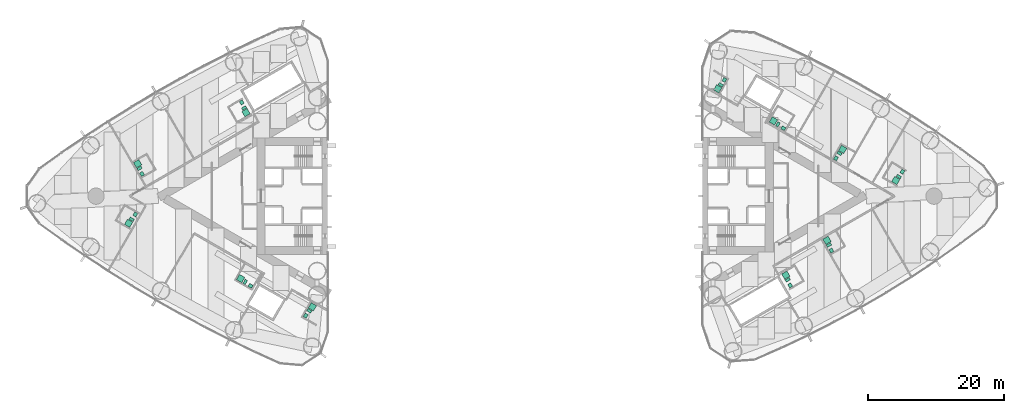
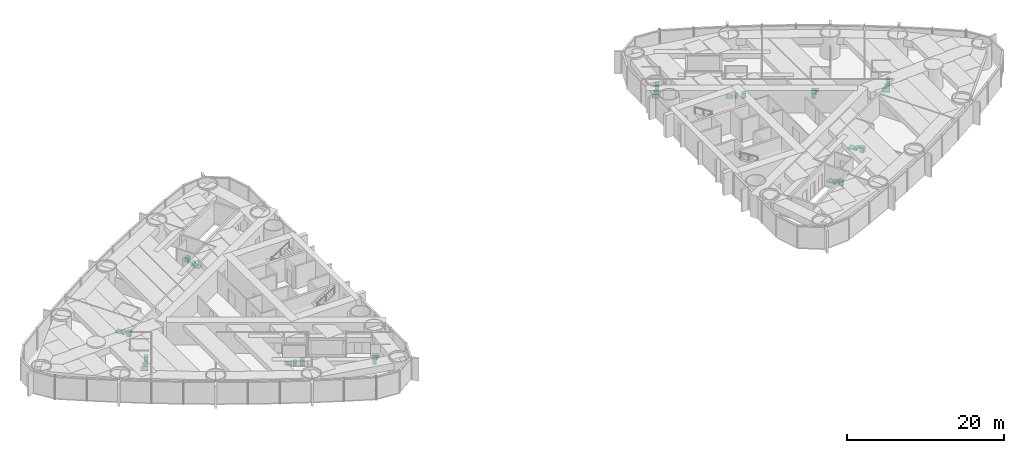
# One storey, part 18 of 18: 15 sanitary terminals.
"""IFC4 building model written with IfcOpenShell, lengths in metres."""

from ifc_helpers import new_model, si_unit, direction, frame, origin, origin_2d, place, context, subcontext, project, spatial, rectangle, extrude, material, type_object, element, save


model = new_model("IFC4")

# Units and contexts
model_context = context("Model", 3, precision=1e-05, world=origin(), true_north=direction((0.0, 1.0)))
body_context = subcontext(model_context, "Body", "Model", "MODEL_VIEW")
ifc_project = project(units=[si_unit("LENGTHUNIT", "METRE"), si_unit("AREAUNIT", "SQUARE_METRE"), si_unit("VOLUMEUNIT", "CUBIC_METRE"), si_unit("PLANEANGLEUNIT", "RADIAN"), si_unit("MASSUNIT", "GRAM", prefix="KILO")], contexts=[model_context])

# Site, building, storey
site_placement = place(None, origin())
site = spatial("IfcSite", under=ifc_project, at=site_placement, CompositionType="ELEMENT")
building_placement = place(site_placement, origin())
building = spatial("IfcBuilding", under=site, at=building_placement, Name="Lancet Gate Hotel", CompositionType="ELEMENT")
storey_placement = place(building_placement, frame((0.0, 0.0, 136.10009765625)))
storey = spatial("IfcBuildingStorey", under=building, at=storey_placement, Name="L36", CompositionType="ELEMENT", Elevation=136.10009765625)

# Sanitary terminals
ifc_material_1 = material(Name="Vitreous china sanitary ware")
sanitary_terminal_type_1 = type_object("IfcSanitaryTerminalType", Name="En-suite sanitary set (shower, WC, basin)", PredefinedType="USERDEFINED", material=ifc_material_1)
sanitary_terminal_1_placement = place(storey_placement, frame((-55.39208984375, 4.755126953125, 0.0), z_axis=(0.0, 0.0, 1.0), x_axis=(1.0, 0.0, 0.0)))
element("IfcSanitaryTerminal", 1, at=sanitary_terminal_1_placement, inside=storey, type_object=sanitary_terminal_type_1, Name="En-suite sanitary set (shower, WC, basin) 3603", ObjectType="EN-SUITE SANITARY SET", PredefinedType="USERDEFINED", context=body_context, shape_type="SweptSolid", body=[
    extrude(rectangle(XDim=0.89990234375, YDim=0.89990234375, at=origin_2d()), frame((0.0, 0.0, 0.0), z_axis=(0.0, 0.0, 1.0), x_axis=(-0.5, 0.866025403784, 0.0)), (0.0, 0.0, 1.0), 0.050048828125),
    extrude(rectangle(XDim=0.39990234375, YDim=0.699951171875, at=origin_2d()), frame((0.2783203125, -0.68212890625, 0.0), z_axis=(0.0, 0.0, 1.0), x_axis=(-0.5, 0.866025403784, 0.0)), (0.0, 0.0, 1.0), 0.39990234375),
    extrude(rectangle(XDim=0.60009765625, YDim=0.5, at=origin_2d()), frame((0.6318359375, -1.494140625, 0.0), z_axis=(0.0, 0.0, 1.0), x_axis=(-0.5, 0.866025403784, 0.0)), (0.0, 0.0, 1.0), 0.85009765625),
])
sanitary_terminal_2_placement = place(storey_placement, frame((-56.7255859375, -3.985107421875, 0.0), z_axis=(0.0, 0.0, 1.0), x_axis=(1.0, 0.0, 0.0)))
element("IfcSanitaryTerminal", 2, at=sanitary_terminal_2_placement, inside=storey, type_object=sanitary_terminal_type_1, Name="En-suite sanitary set (shower, WC, basin) 3605", ObjectType="EN-SUITE SANITARY SET", PredefinedType="USERDEFINED", context=body_context, shape_type="SweptSolid", body=[
    extrude(rectangle(XDim=0.89990234375, YDim=0.89990234375, at=origin_2d()), frame((0.0, 0.0, 0.0), z_axis=(0.0, 0.0, 1.0), x_axis=(-0.5, -0.866025403784, 0.0)), (0.0, 0.0, 1.0), 0.050048828125),
    extrude(rectangle(XDim=0.39990234375, YDim=0.699951171875, at=origin_2d()), frame((0.451416015625, 0.58203125, 0.0), z_axis=(0.0, 0.0, 1.0), x_axis=(-0.5, -0.866025403784, 0.0)), (0.0, 0.0, 1.0), 0.39990234375),
    extrude(rectangle(XDim=0.60009765625, YDim=0.5, at=origin_2d()), frame((0.97802734375, 1.294189453125, 0.0), z_axis=(0.0, 0.0, 1.0), x_axis=(-0.5, -0.866025403784, 0.0)), (0.0, 0.0, 1.0), 0.85009765625),
])
sanitary_terminal_3_placement = place(storey_placement, frame((-39.488525390625, 12.251220703125, 0.0), z_axis=(0.0, 0.0, 1.0), x_axis=(1.0, 0.0, 0.0)))
element("IfcSanitaryTerminal", 3, at=sanitary_terminal_3_placement, inside=storey, type_object=sanitary_terminal_type_1, Name="En-suite sanitary set (shower, WC, basin) 3602", ObjectType="EN-SUITE SANITARY SET", PredefinedType="USERDEFINED", context=body_context, shape_type="SweptSolid", body=[
    extrude(rectangle(XDim=0.89990234375, YDim=0.89990234375, at=origin_2d()), frame((0.0, 0.0, 0.0), z_axis=(0.0, 0.0, 1.0), x_axis=(0.5, -0.866025403784, 0.0)), (0.0, 0.0, 1.0), 0.050048828125),
    extrude(rectangle(XDim=0.39990234375, YDim=0.699951171875, at=origin_2d()), frame((-0.2783203125, 0.68212890625, 0.0), z_axis=(0.0, 0.0, 1.0), x_axis=(0.5, -0.866025403784, 0.0)), (0.0, 0.0, 1.0), 0.39990234375),
    extrude(rectangle(XDim=0.60009765625, YDim=0.5, at=origin_2d()), frame((-0.6318359375, 1.494384765625, 0.0), z_axis=(0.0, 0.0, 1.0), x_axis=(0.5, -0.866025403784, 0.0)), (0.0, 0.0, 1.0), 0.85009765625),
])
sanitary_terminal_4_placement = place(storey_placement, frame((-29.751708984375, -16.256103515625, 0.0), z_axis=(0.0, 0.0, 1.0), x_axis=(1.0, 0.0, 0.0)))
element("IfcSanitaryTerminal", 4, at=sanitary_terminal_4_placement, inside=storey, type_object=sanitary_terminal_type_1, Name="En-suite sanitary set (shower, WC, basin) 3608", ObjectType="EN-SUITE SANITARY SET", PredefinedType="USERDEFINED", context=body_context, shape_type="SweptSolid", body=[
    extrude(rectangle(XDim=0.89990234375, YDim=0.89990234375, at=origin_2d()), frame((0.0, 0.0, 0.0), z_axis=(0.0, 0.0, 1.0), x_axis=(0.5, 0.866025403784, 0.0)), (0.0, 0.0, 1.0), 0.050048828125),
    extrude(rectangle(XDim=0.39990234375, YDim=0.699951171875, at=origin_2d()), frame((-0.45166015625, -0.582275390625, 0.0), z_axis=(0.0, 0.0, 1.0), x_axis=(0.5, 0.866025403784, 0.0)), (0.0, 0.0, 1.0), 0.39990234375),
    extrude(rectangle(XDim=0.60009765625, YDim=0.5, at=origin_2d()), frame((-0.978271484375, -1.29443359375, 0.0), z_axis=(0.0, 0.0, 1.0), x_axis=(0.5, 0.866025403784, 0.0)), (0.0, 0.0, 1.0), 0.85009765625),
])
sanitary_terminal_5_placement = place(storey_placement, frame((45.797119140625, -6.4921875, 0.0), z_axis=(0.0, 0.0, 1.0), x_axis=(1.0, 0.0, 0.0)))
element("IfcSanitaryTerminal", 5, at=sanitary_terminal_5_placement, inside=storey, type_object=sanitary_terminal_type_1, Name="En-suite sanitary set (shower, WC, basin) 3655", ObjectType="EN-SUITE SANITARY SET", PredefinedType="USERDEFINED", context=body_context, shape_type="SweptSolid", body=[
    extrude(rectangle(XDim=0.89990234375, YDim=0.89990234375, at=origin_2d()), frame((0.0, 0.0, 0.0), z_axis=(0.0, 0.0, 1.0), x_axis=(-0.5, 0.866025403784, 0.0)), (0.0, 0.0, 1.0), 0.050048828125),
    extrude(rectangle(XDim=0.39990234375, YDim=0.699951171875, at=origin_2d()), frame((0.278564453125, -0.682373046875, 0.0), z_axis=(0.0, 0.0, 1.0), x_axis=(-0.5, 0.866025403784, 0.0)), (0.0, 0.0, 1.0), 0.39990234375),
    extrude(rectangle(XDim=0.60009765625, YDim=0.5, at=origin_2d()), frame((0.6318359375, -1.494384765625, 0.0), z_axis=(0.0, 0.0, 1.0), x_axis=(-0.5, 0.866025403784, 0.0)), (0.0, 0.0, 1.0), 0.85009765625),
])
sanitary_terminal_6_placement = place(storey_placement, frame((55.8798828125, 2.28759765625, 0.0), z_axis=(0.0, 0.0, 1.0), x_axis=(1.0, 0.0, 0.0)))
element("IfcSanitaryTerminal", 6, at=sanitary_terminal_6_placement, inside=storey, type_object=sanitary_terminal_type_1, Name="En-suite sanitary set (shower, WC, basin) 3658", ObjectType="EN-SUITE SANITARY SET", PredefinedType="USERDEFINED", context=body_context, shape_type="SweptSolid", body=[
    extrude(rectangle(XDim=0.89990234375, YDim=0.89990234375, at=origin_2d()), frame((0.0, 0.0, 0.0), z_axis=(0.0, 0.0, 1.0), x_axis=(-0.5, -0.866025403784, 0.0)), (0.0, 0.0, 1.0), 0.050048828125),
    extrude(rectangle(XDim=0.39990234375, YDim=0.699951171875, at=origin_2d()), frame((0.45166015625, 0.582275390625, 0.0), z_axis=(0.0, 0.0, 1.0), x_axis=(-0.5, -0.866025403784, 0.0)), (0.0, 0.0, 1.0), 0.39990234375),
    extrude(rectangle(XDim=0.60009765625, YDim=0.5, at=origin_2d()), frame((0.978271484375, 1.29443359375, 0.0), z_axis=(0.0, 0.0, 1.0), x_axis=(-0.5, -0.866025403784, 0.0)), (0.0, 0.0, 1.0), 0.85009765625),
])
sanitary_terminal_7_placement = place(storey_placement, frame((48.083740234375, 6.858154296875, 0.0), z_axis=(0.0, 0.0, 1.0), x_axis=(1.0, 0.0, 0.0)))
element("IfcSanitaryTerminal", 7, at=sanitary_terminal_7_placement, inside=storey, type_object=sanitary_terminal_type_1, Name="En-suite sanitary set (shower, WC, basin) 3660", ObjectType="EN-SUITE SANITARY SET", PredefinedType="USERDEFINED", context=body_context, shape_type="SweptSolid", body=[
    extrude(rectangle(XDim=0.89990234375, YDim=0.89990234375, at=origin_2d()), frame((0.0, 0.0, 0.0), z_axis=(0.0, 0.0, 1.0), x_axis=(0.5, 0.866025403784, 0.0)), (0.0, 0.0, 1.0), 0.050048828125),
    extrude(rectangle(XDim=0.39990234375, YDim=0.699951171875, at=origin_2d()), frame((-0.45166015625, -0.582275390625, 0.0), z_axis=(0.0, 0.0, 1.0), x_axis=(0.5, 0.866025403784, 0.0)), (0.0, 0.0, 1.0), 0.39990234375),
    extrude(rectangle(XDim=0.60009765625, YDim=0.5, at=origin_2d()), frame((-0.978271484375, -1.29443359375, 0.0), z_axis=(0.0, 0.0, 1.0), x_axis=(0.5, 0.866025403784, 0.0)), (0.0, 0.0, 1.0), 0.85009765625),
])
sanitary_terminal_8_placement = place(storey_placement, frame((39.74853515625, -11.60107421875, 0.0), z_axis=(0.0, 0.0, 1.0), x_axis=(1.0, 0.0, 0.0)))
element("IfcSanitaryTerminal", 8, at=sanitary_terminal_8_placement, inside=storey, type_object=sanitary_terminal_type_1, Name="En-suite sanitary set (shower, WC, basin) 3653", ObjectType="EN-SUITE SANITARY SET", PredefinedType="USERDEFINED", context=body_context, shape_type="SweptSolid", body=[
    extrude(rectangle(XDim=0.89990234375, YDim=0.89990234375, at=origin_2d()), frame((0.0, 0.0, 0.0), z_axis=(0.0, 0.0, 1.0), x_axis=(-0.5, 0.866025403784, 0.0)), (0.0, 0.0, 1.0), 0.050048828125),
    extrude(rectangle(XDim=0.39990234375, YDim=0.699951171875, at=origin_2d()), frame((0.2783203125, -0.68212890625, 0.0), z_axis=(0.0, 0.0, 1.0), x_axis=(-0.5, 0.866025403784, 0.0)), (0.0, 0.0, 1.0), 0.39990234375),
    extrude(rectangle(XDim=0.60009765625, YDim=0.5, at=origin_2d()), frame((0.6318359375, -1.494384765625, 0.0), z_axis=(0.0, 0.0, 1.0), x_axis=(-0.5, 0.866025403784, 0.0)), (0.0, 0.0, 1.0), 0.85009765625),
])
sanitary_terminal_9_placement = place(storey_placement, frame((29.751708984375, 15.756103515625, 0.0), z_axis=(0.0, 0.0, 1.0), x_axis=(1.0, 0.0, 0.0)))
element("IfcSanitaryTerminal", 9, at=sanitary_terminal_9_placement, inside=storey, type_object=sanitary_terminal_type_1, Name="En-suite sanitary set (shower, WC, basin) 3664", ObjectType="EN-SUITE SANITARY SET", PredefinedType="USERDEFINED", context=body_context, shape_type="SweptSolid", body=[
    extrude(rectangle(XDim=0.89990234375, YDim=0.89990234375, at=origin_2d()), frame((0.0, 0.0, 0.0), z_axis=(0.0, 0.0, 1.0), x_axis=(-0.5, -0.866025403784, 0.0)), (0.0, 0.0, 1.0), 0.050048828125),
    extrude(rectangle(XDim=0.39990234375, YDim=0.699951171875, at=origin_2d()), frame((0.45166015625, 0.582275390625, 0.0), z_axis=(0.0, 0.0, 1.0), x_axis=(-0.5, -0.866025403784, 0.0)), (0.0, 0.0, 1.0), 0.39990234375),
    extrude(rectangle(XDim=0.60009765625, YDim=0.5, at=origin_2d()), frame((0.978271484375, 1.29443359375, 0.0), z_axis=(0.0, 0.0, 1.0), x_axis=(-0.5, -0.866025403784, 0.0)), (0.0, 0.0, 1.0), 0.85009765625),
])
ifc_material_2 = material(Name="Stone resin shower tray", Category="masonry")
sanitary_terminal_type_2 = type_object("IfcSanitaryTerminalType", Name="Shower tray 900", PredefinedType="SHOWER", material=ifc_material_2)
for number, where, z_axis, x_axis, name in (
    (10, (-40.2763671875, -12.0966796875, 0.0), (0.0, 0.0, 1.0), (-0.866025403784, 0.5, 0.0), "Shower tray 900 3607"),
    (11, (37.922607421875, 11.038818359375, 0.0), (0.0, 0.0, 1.0), (-0.866025403784, 0.5, 0.0), "Shower tray 900 3662"),
):
    element("IfcSanitaryTerminal", number, at=place(storey_placement, frame(where, z_axis=z_axis, x_axis=x_axis)), inside=storey, type_object=sanitary_terminal_type_2, Name=name, PredefinedType="SHOWER", context=body_context, shape_type="SweptSolid", body=[
        extrude(rectangle(XDim=0.89990234375, YDim=0.89990234375, at=origin_2d()), origin(), (0.0, 0.0, 1.0), 0.050048828125),
    ])
ifc_material_3 = material(Name="Vitreous china sanitary ware")
sanitary_terminal_type_3 = type_object("IfcSanitaryTerminalType", Name="Vanity basin 600", PredefinedType="WASHHANDBASIN", material=ifc_material_3)
for number, where, z_axis, x_axis, name in (
    (12, (-38.808837890625, -13.1748046875, -0.000244140625), (0.0, 0.0, 1.0), (-0.866025403784, 0.5, 0.0), "Vanity basin 600 3607"),
    (13, (39.389892578125, 9.960693359375, -0.000244140625), (0.0, 0.0, 1.0), (-0.866025403784, 0.5, 0.0), "Vanity basin 600 3662"),
):
    element("IfcSanitaryTerminal", number, at=place(storey_placement, frame(where, z_axis=z_axis, x_axis=x_axis)), inside=storey, type_object=sanitary_terminal_type_3, Name=name, PredefinedType="WASHHANDBASIN", context=body_context, shape_type="SweptSolid", body=[
        extrude(rectangle(XDim=0.60009765625, YDim=0.5, at=origin_2d()), origin(), (0.0, 0.0, 1.0), 0.85009765625),
    ])
ifc_material_4 = material(Name="Vitreous china sanitary ware")
sanitary_terminal_type_4 = type_object("IfcSanitaryTerminalType", Name="WC pan wall hung", PredefinedType="TOILETPAN", material=ifc_material_4)
for number, where, z_axis, x_axis, name in (
    (14, (-39.607421875, -12.59814453125, 0.0), (0.0, 0.0, 1.0), (-0.866025403784, 0.5, 0.0), "WC pan wall hung 3607"),
    (15, (38.59130859375, 10.537109375, 0.0), (0.0, 0.0, 1.0), (-0.866025403784, 0.5, 0.0), "WC pan wall hung 3662"),
):
    element("IfcSanitaryTerminal", number, at=place(storey_placement, frame(where, z_axis=z_axis, x_axis=x_axis)), inside=storey, type_object=sanitary_terminal_type_4, Name=name, PredefinedType="TOILETPAN", context=body_context, shape_type="SweptSolid", body=[
        extrude(rectangle(XDim=0.39990234375, YDim=0.699951171875, at=origin_2d()), origin(), (0.0, 0.0, 1.0), 0.39990234375),
    ])

save(model, "model.ifc")
